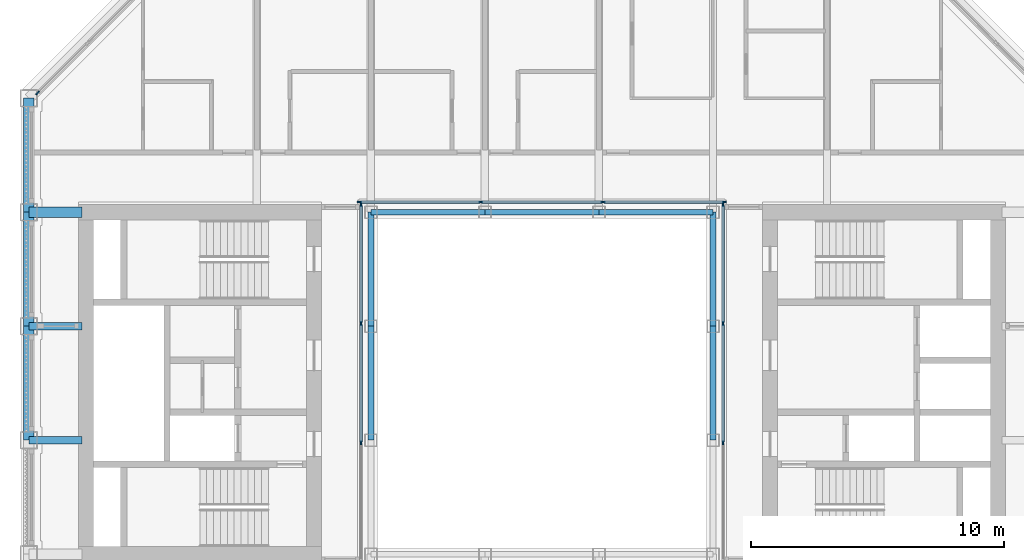
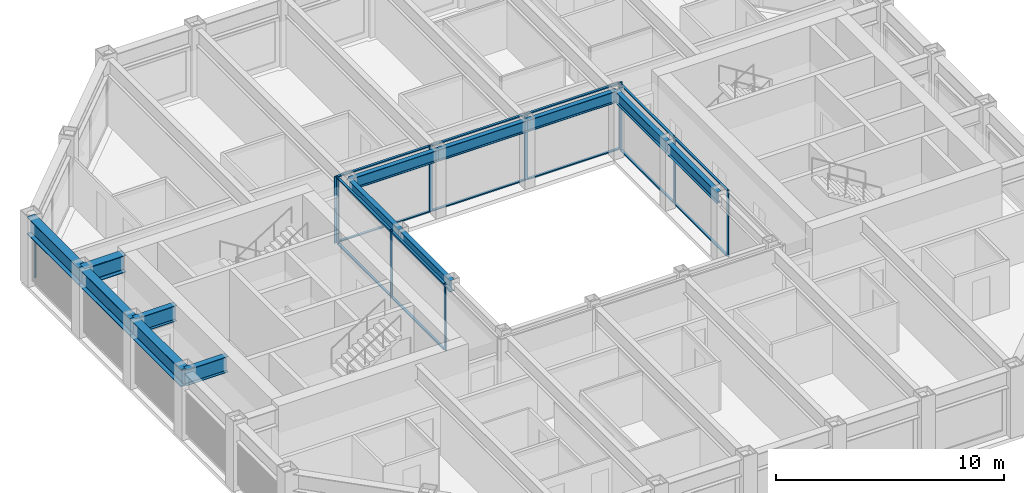
# One storey, part 4 of 18: 25 members, 13 beams, 4 elements without a shape of their own.
"""IFC4 building model written with IfcOpenShell, lengths in metres."""

import ifcopenshell
import ifcopenshell.guid

model = None  # the IFC model being written
_history = None  # IfcOwnerHistory: only IFC2X3 demands one
_inside = {}  # id of a spatial element -> (the spatial element, [elements in it])
_under = {}  # id of a project, library or spatial element -> (it, [spatial elements below it])
_declared = {}  # id of a project -> (the project, [libraries it declares])
_typed = {}  # id of a type object -> (the type object, [elements of that type])
_made_of = {}  # id of a material, layer set ... -> (it, [elements and type objects made of it])


def new_model(schema):
    """Start an empty IFC model of exactly this schema.

    Asked for "IFC4X3", IfcOpenShell would pick the latest addendum, in which some entities
    have other attributes; the version numbers below select the first issue.
    IFC2X3 requires an IfcOwnerHistory on every rooted entity: one is made here for all.
    """
    global model, _history
    if schema == "IFC4X3":
        model = ifcopenshell.file(schema_version=(4, 3, 0, 0))
    else:
        model = ifcopenshell.file(schema=schema)
    _inside.clear()
    _under.clear()
    _declared.clear()
    _typed.clear()
    _made_of.clear()
    _history = None
    if model.schema == "IFC2X3":
        org = make("IfcOrganization", Name="unknown")
        user = make(
            "IfcPersonAndOrganization",
            ThePerson=make("IfcPerson", FamilyName="unknown"),
            TheOrganization=org,
        )
        app = make(
            "IfcApplication",
            ApplicationDeveloper=org,
            Version="unknown",
            ApplicationFullName="unknown",
            ApplicationIdentifier="unknown",
        )
        _history = make(
            "IfcOwnerHistory",
            OwningUser=user,
            OwningApplication=app,
            ChangeAction="ADDED",
            CreationDate=0,
        )
    return model


def make(cls, **values):
    """One entity of the class cls with the attributes given. An attribute that is None is left unset."""
    return model.create_entity(
        cls, **{name: value for name, value in values.items() if value is not None}
    )


def rooted(cls, **values):
    """An entity with a GlobalId (a new one), such as an element, a storey or a relation."""
    return make(cls, GlobalId=ifcopenshell.guid.new(), OwnerHistory=_history, **values)


def si_unit(unit_type, name, prefix=None):
    """IfcSIUnit, for example si_unit("LENGTHUNIT", "METRE", prefix="MILLI")."""
    return make("IfcSIUnit", UnitType=unit_type, Prefix=prefix, Name=name)


def assignment(units):
    """IfcUnitAssignment: the units of a project."""
    return None if units is None else make("IfcUnitAssignment", Units=units)


def point(xyz):
    """IfcCartesianPoint."""
    return None if xyz is None else make("IfcCartesianPoint", Coordinates=xyz)


def direction(xyz):
    """IfcDirection."""
    return None if xyz is None else make("IfcDirection", DirectionRatios=xyz)


def frame(location, z_axis=None, x_axis=None):
    """IfcAxis2Placement3D, a coordinate frame: its origin and axes. An axis left out is left unset."""
    return make(
        "IfcAxis2Placement3D",
        Location=point(location),
        Axis=direction(z_axis),
        RefDirection=direction(x_axis),
    )


def frame_2d(location, x_axis=None):
    """IfcAxis2Placement2D, a coordinate frame in the plane: its origin and x axis."""
    return make(
        "IfcAxis2Placement2D", Location=point(location), RefDirection=direction(x_axis)
    )


def origin():
    """The frame at (0, 0, 0) with its axes left unset."""
    return frame((0.0, 0.0, 0.0))


def origin_2d():
    """The frame at (0, 0) in the plane with its x axis left unset."""
    return frame_2d((0.0, 0.0))


def place(relative_to, where):
    """IfcLocalPlacement: puts the frame where relative to a parent placement (None: the world)."""
    return make(
        "IfcLocalPlacement", PlacementRelTo=relative_to, RelativePlacement=where
    )


def context(
    kind, dimensions, precision=None, world=None, true_north=None, identifier=None
):
    """IfcGeometricRepresentationContext, for example the 3D "Model" context."""
    return make(
        "IfcGeometricRepresentationContext",
        ContextIdentifier=identifier,
        ContextType=kind,
        CoordinateSpaceDimension=dimensions,
        Precision=precision,
        WorldCoordinateSystem=world,
        TrueNorth=true_north,
    )


def subcontext(parent, identifier, kind, view, scale=None):
    """IfcGeometricRepresentationSubContext, for example "Body" below "Model"."""
    return make(
        "IfcGeometricRepresentationSubContext",
        ContextIdentifier=identifier,
        ContextType=kind,
        ParentContext=parent,
        TargetScale=scale,
        TargetView=view,
    )


def project(units=None, contexts=None):
    """IfcProject with its units and contexts."""
    return rooted(
        "IfcProject",
        Name="project",
        RepresentationContexts=contexts,
        UnitsInContext=assignment(units),
    )


def spatial(cls, under=None, at=None, **own):
    """A site, building, storey or space (cls), placed at a placement, below another one or the project."""
    s = rooted(cls, ObjectPlacement=at, **own)
    if under is not None:
        _under.setdefault(under.id(), (under, []))[1].append(s)
    return s


def profile(cls, at=None, kind="AREA", **sizes):
    """A parametric profile (cls). Its sizes go by their IFC names, for example OverallWidth=200.0."""
    return make(cls, ProfileType=kind, Position=at, **sizes)


def rectangle(**sizes):
    """IfcRectangleProfileDef."""
    return profile("IfcRectangleProfileDef", **sizes)


def i_section(**sizes):
    """IfcIShapeProfileDef."""
    return profile("IfcIShapeProfileDef", **sizes)


def extrude(swept, where, along, depth):
    """IfcExtrudedAreaSolid: the profile swept, set in the frame where, extruded along a direction by depth."""
    return make(
        "IfcExtrudedAreaSolid",
        SweptArea=swept,
        Position=where,
        ExtrudedDirection=direction(along),
        Depth=depth,
    )


def shape(context_of_items, identifier, shape_type, items):
    """IfcShapeRepresentation: the items that make up one representation, for example the "Body"."""
    return make(
        "IfcShapeRepresentation",
        ContextOfItems=context_of_items,
        RepresentationIdentifier=identifier,
        RepresentationType=shape_type,
        Items=items,
    )


def material(Name=None, Category=None):
    """IfcMaterial."""
    return make("IfcMaterial", Name=Name, Category=Category)


def material_profile(
    of_material, cross_section, Name=None, Category=None, Priority=None
):
    """IfcMaterialProfile: a cross section and its material."""
    return make(
        "IfcMaterialProfile",
        Name=Name,
        Material=of_material,
        Profile=cross_section,
        Priority=Priority,
        Category=Category,
    )


def profile_set(profiles, Name=None, composite=None):
    """IfcMaterialProfileSet."""
    return make(
        "IfcMaterialProfileSet",
        Name=Name,
        MaterialProfiles=profiles,
        CompositeProfile=composite,
    )


def made_of(thing, what):
    """Note that an element or type object is made of a material, layer set ...; save() writes the relation."""
    if what is not None:
        _made_of.setdefault(what.id(), (what, []))[1].append(thing)
    return thing


def type_object(cls, material=None, **own):
    """A type object (cls), such as IfcWallType, which elements share."""
    return made_of(rooted(cls, **own), material)


def element(
    cls,
    number,
    at=None,
    inside=None,
    cuts=None,
    type_object=None,
    material=None,
    context=None,
    identifier="Body",
    shape_type=None,
    held_by="IfcProductDefinitionShape",
    body=None,
    shapes=None,
    **own,
):
    """One element of the class cls, such as IfcWall. Its Tag is "e" and its number.

    at: its placement. inside: the storey or other place that contains it. cuts: it is an
    opening in that element (IfcRelVoidsElement). A single representation is given by context,
    identifier, shape_type and body (its items); several are given by shapes. held_by: the class
    of the entity that holds the representations. save() writes the other relations.
    """
    e = rooted(cls, Tag="e%d" % number, ObjectPlacement=at, **own)
    if body is not None:
        shapes = [shape(context, identifier, shape_type, body)]
    if shapes is not None:
        e.Representation = make(held_by, Representations=shapes)
    if inside is not None:
        _inside.setdefault(inside.id(), (inside, []))[1].append(e)
    if cuts is not None:
        rooted(
            "IfcRelVoidsElement", RelatingBuildingElement=cuts, RelatedOpeningElement=e
        )
    if type_object is not None:
        _typed.setdefault(type_object.id(), (type_object, []))[1].append(e)
    return made_of(e, material)


def aggregate(whole, parts):
    """IfcRelAggregates: a whole, such as a stair, and the parts it consists of."""
    return rooted("IfcRelAggregates", RelatingObject=whole, RelatedObjects=parts)


def save(model, path):
    """Write the relations noted so far, then the file.

    IfcRelAggregates (storeys below a building ...), IfcRelContainedInSpatialStructure (elements
    in a storey), IfcRelDefinesByType, IfcRelAssociatesMaterial and IfcRelDeclares: one each for
    every whole, place, type object, material and project.
    """
    for whole, parts in _under.values():
        aggregate(whole, parts)
    for where, things in _inside.values():
        rooted(
            "IfcRelContainedInSpatialStructure",
            RelatedElements=things,
            RelatingStructure=where,
        )
    for kind, things in _typed.values():
        rooted("IfcRelDefinesByType", RelatedObjects=things, RelatingType=kind)
    for what, things in _made_of.values():
        rooted("IfcRelAssociatesMaterial", RelatedObjects=things, RelatingMaterial=what)
    for by, libraries in _declared.values():
        rooted("IfcRelDeclares", RelatingContext=by, RelatedDefinitions=libraries)
    model.write(path)


model = new_model("IFC4")

# Units and contexts
model_context = context("Model", 3, precision=1e-05, world=origin(), true_north=direction((0.0, 1.0)))
body_context = subcontext(model_context, "Body", "Model", "MODEL_VIEW")
ifc_project = project(units=[si_unit("LENGTHUNIT", "METRE"), si_unit("AREAUNIT", "SQUARE_METRE"), si_unit("VOLUMEUNIT", "CUBIC_METRE"), si_unit("PLANEANGLEUNIT", "RADIAN"), si_unit("MASSUNIT", "GRAM", prefix="KILO")], contexts=[model_context])

# Site, building, storey
site_placement = place(None, origin())
site = spatial("IfcSite", under=ifc_project, at=site_placement, CompositionType="ELEMENT")
building_placement = place(site_placement, origin())
building = spatial("IfcBuilding", under=site, at=building_placement, Name="Msasa Ring Tower", CompositionType="ELEMENT")
storey_placement = place(building_placement, frame((0.0, 0.0, 227.050048828125)))
storey = spatial("IfcBuildingStorey", under=building, at=storey_placement, Name="L59", CompositionType="ELEMENT", Elevation=227.050048828125)

# Curtain wall, member
ifc_material_1 = material(Name="Aluminium curtain wall with clear glass", Category="aluminium")
curtain_wall_type_1 = type_object("IfcCurtainWallType", Name="CW-C CHAMFER CORNER CURTAIN WALL", PredefinedType="NOTDEFINED", material=ifc_material_1)
curtain_wall_1_placement = place(storey_placement, origin())
curtain_wall_1 = element("IfcCurtainWall", 1, at=curtain_wall_1_placement, inside=storey, type_object=curtain_wall_type_1, Name="Chamfer corner curtain wall NW L59", PredefinedType="NOTDEFINED")
ifc_material_2 = material(Name="Aluminium mullion", Category="aluminium")
ifc_material_profile_1 = material_profile(ifc_material_2, rectangle(XDim=0.06494140625, YDim=0.179931640625, at=origin_2d()), Name="AL 65x180")
ifc_profile_set_1 = profile_set([ifc_material_profile_1], Name="Aluminium mullion")
member_type_1 = type_object("IfcMemberType", Name="CW-C MULLION 65x180", PredefinedType="MULLION", material=ifc_profile_set_1)
member_1_placement = place(storey_placement, frame((-19.9052734375, 11.453369140625, 0.0), z_axis=(0.0, 0.0, 1.0), x_axis=(0.707106781187, -0.707106781187, 0.0)))
member_1 = element("IfcMember", 2, at=member_1_placement, type_object=member_type_1, Name="CW-C mullion 3", PredefinedType="MULLION", context=body_context, shape_type="SweptSolid", body=[
    extrude(rectangle(XDim=0.06494140625, YDim=0.179931640625, at=origin_2d()), origin(), (0.0, 0.0, 1.0), 2.62890625),
])
aggregate(curtain_wall_1, [member_1])

# Curtain wall, members
ifc_material_3 = material(Name="Aluminium curtain wall with clear glass", Category="aluminium")
curtain_wall_type_2 = type_object("IfcCurtainWallType", Name="CW-W LIGHT WELL CURTAIN WALL", PredefinedType="NOTDEFINED", material=ifc_material_3)
curtain_wall_2_placement = place(storey_placement, origin())
curtain_wall_2 = element("IfcCurtainWall", 3, at=curtain_wall_2_placement, inside=storey, type_object=curtain_wall_type_2, Name="Light well curtain wall N L59", PredefinedType="NOTDEFINED")
ifc_material_4 = material(Name="Aluminium mullion", Category="aluminium")
ifc_material_profile_2 = material_profile(ifc_material_4, rectangle(XDim=0.06005859375, YDim=0.159912109375, at=origin_2d()), Name="AL 60x160")
ifc_profile_set_2 = profile_set([ifc_material_profile_2], Name="Aluminium mullion")
member_type_2 = type_object("IfcMemberType", Name="CW-W MULLION 60x160", PredefinedType="MULLION", material=ifc_profile_set_2)
member_2_placement = place(storey_placement, frame((-7.199951171875, 7.14990234375, 0.0), z_axis=(0.0, 0.0, 1.0), x_axis=(0.0, 1.0, 0.0)))
member_2 = element("IfcMember", 4, at=member_2_placement, type_object=member_type_2, Name="CW-W mullion 1", PredefinedType="MULLION", context=body_context, shape_type="SweptSolid", body=[
    extrude(rectangle(XDim=0.06005859375, YDim=0.159912109375, at=origin_2d()), origin(), (0.0, 0.0, 1.0), 3.550048828125),
])
member_3_placement = place(storey_placement, frame((-2.409912109375, 7.14990234375, 0.0), z_axis=(0.0, 0.0, 1.0), x_axis=(0.0, 1.0, 0.0)))
member_3 = element("IfcMember", 5, at=member_3_placement, type_object=member_type_2, Name="CW-W mullion 2", PredefinedType="MULLION", context=body_context, shape_type="SweptSolid", body=[
    extrude(rectangle(XDim=0.06005859375, YDim=0.159912109375, at=origin_2d()), origin(), (0.0, 0.0, 1.0), 3.550048828125),
])
member_4_placement = place(storey_placement, frame((2.409912109375, 7.14990234375, 0.0), z_axis=(0.0, 0.0, 1.0), x_axis=(0.0, 1.0, 0.0)))
member_4 = element("IfcMember", 6, at=member_4_placement, type_object=member_type_2, Name="CW-W mullion 3", PredefinedType="MULLION", context=body_context, shape_type="SweptSolid", body=[
    extrude(rectangle(XDim=0.06005859375, YDim=0.159912109375, at=origin_2d()), origin(), (0.0, 0.0, 1.0), 3.550048828125),
])
member_5_placement = place(storey_placement, frame((7.199951171875, 7.14990234375, 0.0), z_axis=(0.0, 0.0, 1.0), x_axis=(0.0, 1.0, 0.0)))
member_5 = element("IfcMember", 7, at=member_5_placement, type_object=member_type_2, Name="CW-W mullion 4", PredefinedType="MULLION", context=body_context, shape_type="SweptSolid", body=[
    extrude(rectangle(XDim=0.06005859375, YDim=0.159912109375, at=origin_2d()), origin(), (0.0, 0.0, 1.0), 3.550048828125),
])

curtain_wall_3_placement = place(storey_placement, origin())
curtain_wall_3 = element("IfcCurtainWall", 8, at=curtain_wall_3_placement, inside=storey, type_object=curtain_wall_type_2, Name="Light well curtain wall E L59", PredefinedType="NOTDEFINED")
member_6_placement = place(storey_placement, frame((7.14990234375, -2.356689453125, 0.0), z_axis=(0.0, 0.0, 1.0), x_axis=(-1.0, 0.0, 0.0)))
member_6 = element("IfcMember", 9, at=member_6_placement, type_object=member_type_2, Name="CW-W mullion 2", PredefinedType="MULLION", context=body_context, shape_type="SweptSolid", body=[
    extrude(rectangle(XDim=0.06005859375, YDim=0.159912109375, at=origin_2d()), origin(), (0.0, 0.0, 1.0), 3.550048828125),
])
member_7_placement = place(storey_placement, frame((7.14990234375, 2.356689453125, 0.0), z_axis=(0.0, 0.0, 1.0), x_axis=(-1.0, 0.0, 0.0)))
member_7 = element("IfcMember", 10, at=member_7_placement, type_object=member_type_2, Name="CW-W mullion 3", PredefinedType="MULLION", context=body_context, shape_type="SweptSolid", body=[
    extrude(rectangle(XDim=0.06005859375, YDim=0.159912109375, at=origin_2d()), origin(), (0.0, 0.0, 1.0), 3.550048828125),
])
member_8_placement = place(storey_placement, frame((7.14990234375, 7.0400390625, 0.0), z_axis=(0.0, 0.0, 1.0), x_axis=(-1.0, 0.0, 0.0)))
member_8 = element("IfcMember", 11, at=member_8_placement, type_object=member_type_2, Name="CW-W mullion 4", PredefinedType="MULLION", context=body_context, shape_type="SweptSolid", body=[
    extrude(rectangle(XDim=0.06005859375, YDim=0.159912109375, at=origin_2d()), origin(), (0.0, 0.0, 1.0), 3.550048828125),
])

curtain_wall_4_placement = place(storey_placement, origin())
curtain_wall_4 = element("IfcCurtainWall", 12, at=curtain_wall_4_placement, inside=storey, type_object=curtain_wall_type_2, Name="Light well curtain wall W L59", PredefinedType="NOTDEFINED")
member_9_placement = place(storey_placement, frame((-7.14990234375, -2.356689453125, 0.0), z_axis=(0.0, 0.0, 1.0), x_axis=(-1.0, 0.0, 0.0)))
member_9 = element("IfcMember", 13, at=member_9_placement, type_object=member_type_2, Name="CW-W mullion 2", PredefinedType="MULLION", context=body_context, shape_type="SweptSolid", body=[
    extrude(rectangle(XDim=0.06005859375, YDim=0.159912109375, at=origin_2d()), origin(), (0.0, 0.0, 1.0), 3.550048828125),
])
member_10_placement = place(storey_placement, frame((-7.14990234375, 2.356689453125, 0.0), z_axis=(0.0, 0.0, 1.0), x_axis=(-1.0, 0.0, 0.0)))
member_10 = element("IfcMember", 14, at=member_10_placement, type_object=member_type_2, Name="CW-W mullion 3", PredefinedType="MULLION", context=body_context, shape_type="SweptSolid", body=[
    extrude(rectangle(XDim=0.06005859375, YDim=0.159912109375, at=origin_2d()), origin(), (0.0, 0.0, 1.0), 3.550048828125),
])
member_11_placement = place(storey_placement, frame((-7.14990234375, 7.0400390625, 0.0), z_axis=(0.0, 0.0, 1.0), x_axis=(-1.0, 0.0, 0.0)))
member_11 = element("IfcMember", 15, at=member_11_placement, type_object=member_type_2, Name="CW-W mullion 4", PredefinedType="MULLION", context=body_context, shape_type="SweptSolid", body=[
    extrude(rectangle(XDim=0.06005859375, YDim=0.159912109375, at=origin_2d()), origin(), (0.0, 0.0, 1.0), 3.550048828125),
])

# Member
ifc_material_5 = material(Name="Aluminium transom", Category="aluminium")
ifc_material_profile_3 = material_profile(ifc_material_5, rectangle(XDim=0.1201171875, YDim=0.06005859375, at=origin_2d()), Name="AL 60x120")
ifc_profile_set_3 = profile_set([ifc_material_profile_3], Name="Aluminium transom")
member_type_3 = type_object("IfcMemberType", Name="CW-W TRANSOM 60x120", PredefinedType="USERDEFINED", material=ifc_profile_set_3)
member_12_placement = place(storey_placement, frame((-7.169921875, 7.14990234375, 0.030029296875), z_axis=(1.0, 0.0, 0.0), x_axis=(0.0, 1.0, 0.0)))
member_12 = element("IfcMember", 16, at=member_12_placement, type_object=member_type_3, Name="CW-W transom 1.1", ObjectType="TRANSOM", PredefinedType="USERDEFINED", context=body_context, shape_type="SweptSolid", body=[
    extrude(rectangle(XDim=0.1201171875, YDim=0.06005859375, at=origin_2d()), origin(), (0.0, 0.0, 1.0), 4.72998046875),
])

member_13_placement = place(storey_placement, frame((-7.169921875, 7.14990234375, 3.52001953125), z_axis=(1.0, 0.0, 0.0), x_axis=(0.0, 1.0, 0.0)))
member_13 = element("IfcMember", 17, at=member_13_placement, type_object=member_type_3, Name="CW-W transom 1.2", ObjectType="TRANSOM", PredefinedType="USERDEFINED", context=body_context, shape_type="SweptSolid", body=[
    extrude(rectangle(XDim=0.1201171875, YDim=0.06005859375, at=origin_2d()), origin(), (0.0, 0.0, 1.0), 4.72998046875),
])

member_14_placement = place(storey_placement, frame((-2.3798828125, 7.14990234375, 0.030029296875), z_axis=(1.0, 0.0, 0.0), x_axis=(0.0, 1.0, 0.0)))
member_14 = element("IfcMember", 18, at=member_14_placement, type_object=member_type_3, Name="CW-W transom 2.1", ObjectType="TRANSOM", PredefinedType="USERDEFINED", context=body_context, shape_type="SweptSolid", body=[
    extrude(rectangle(XDim=0.1201171875, YDim=0.06005859375, at=origin_2d()), origin(), (0.0, 0.0, 1.0), 4.759765625),
])

member_15_placement = place(storey_placement, frame((-2.3798828125, 7.14990234375, 3.52001953125), z_axis=(1.0, 0.0, 0.0), x_axis=(0.0, 1.0, 0.0)))
member_15 = element("IfcMember", 19, at=member_15_placement, type_object=member_type_3, Name="CW-W transom 2.2", ObjectType="TRANSOM", PredefinedType="USERDEFINED", context=body_context, shape_type="SweptSolid", body=[
    extrude(rectangle(XDim=0.1201171875, YDim=0.06005859375, at=origin_2d()), origin(), (0.0, 0.0, 1.0), 4.759765625),
])

member_16_placement = place(storey_placement, frame((2.43994140625, 7.14990234375, 0.030029296875), z_axis=(1.0, 0.0, 0.0), x_axis=(0.0, 1.0, 0.0)))
member_16 = element("IfcMember", 20, at=member_16_placement, type_object=member_type_3, Name="CW-W transom 3.1", ObjectType="TRANSOM", PredefinedType="USERDEFINED", context=body_context, shape_type="SweptSolid", body=[
    extrude(rectangle(XDim=0.1201171875, YDim=0.06005859375, at=origin_2d()), origin(), (0.0, 0.0, 1.0), 4.72998046875),
])

member_17_placement = place(storey_placement, frame((2.43994140625, 7.14990234375, 3.52001953125), z_axis=(1.0, 0.0, 0.0), x_axis=(0.0, 1.0, 0.0)))
member_17 = element("IfcMember", 21, at=member_17_placement, type_object=member_type_3, Name="CW-W transom 3.2", ObjectType="TRANSOM", PredefinedType="USERDEFINED", context=body_context, shape_type="SweptSolid", body=[
    extrude(rectangle(XDim=0.1201171875, YDim=0.06005859375, at=origin_2d()), origin(), (0.0, 0.0, 1.0), 4.72998046875),
])

aggregate(curtain_wall_2, [member_2, member_3, member_4, member_5, member_12, member_13, member_14, member_15, member_16, member_17])

member_18_placement = place(storey_placement, frame((7.14990234375, -2.32666015625, 0.030029296875), z_axis=(0.0, 1.0, 0.0), x_axis=(-1.0, 0.0, 0.0)))
member_18 = element("IfcMember", 22, at=member_18_placement, type_object=member_type_3, Name="CW-W transom 2.1", ObjectType="TRANSOM", PredefinedType="USERDEFINED", context=body_context, shape_type="SweptSolid", body=[
    extrude(rectangle(XDim=0.1201171875, YDim=0.06005859375, at=origin_2d()), origin(), (0.0, 0.0, 1.0), 4.6533203125),
])

member_19_placement = place(storey_placement, frame((7.14990234375, -2.32666015625, 3.52001953125), z_axis=(0.0, 1.0, 0.0), x_axis=(-1.0, 0.0, 0.0)))
member_19 = element("IfcMember", 23, at=member_19_placement, type_object=member_type_3, Name="CW-W transom 2.2", ObjectType="TRANSOM", PredefinedType="USERDEFINED", context=body_context, shape_type="SweptSolid", body=[
    extrude(rectangle(XDim=0.1201171875, YDim=0.06005859375, at=origin_2d()), origin(), (0.0, 0.0, 1.0), 4.6533203125),
])

member_20_placement = place(storey_placement, frame((7.14990234375, 2.38671875, 0.030029296875), z_axis=(0.0, 1.0, 0.0), x_axis=(-1.0, 0.0, 0.0)))
member_20 = element("IfcMember", 24, at=member_20_placement, type_object=member_type_3, Name="CW-W transom 3.1", ObjectType="TRANSOM", PredefinedType="USERDEFINED", context=body_context, shape_type="SweptSolid", body=[
    extrude(rectangle(XDim=0.1201171875, YDim=0.06005859375, at=origin_2d()), origin(), (0.0, 0.0, 1.0), 4.623291015625),
])

member_21_placement = place(storey_placement, frame((7.14990234375, 2.38671875, 3.52001953125), z_axis=(0.0, 1.0, 0.0), x_axis=(-1.0, 0.0, 0.0)))
member_21 = element("IfcMember", 25, at=member_21_placement, type_object=member_type_3, Name="CW-W transom 3.2", ObjectType="TRANSOM", PredefinedType="USERDEFINED", context=body_context, shape_type="SweptSolid", body=[
    extrude(rectangle(XDim=0.1201171875, YDim=0.06005859375, at=origin_2d()), origin(), (0.0, 0.0, 1.0), 4.623291015625),
])

aggregate(curtain_wall_3, [member_6, member_7, member_8, member_18, member_19, member_20, member_21])

member_22_placement = place(storey_placement, frame((-7.14990234375, -2.32666015625, 0.030029296875), z_axis=(0.0, 1.0, 0.0), x_axis=(-1.0, 0.0, 0.0)))
member_22 = element("IfcMember", 26, at=member_22_placement, type_object=member_type_3, Name="CW-W transom 2.1", ObjectType="TRANSOM", PredefinedType="USERDEFINED", context=body_context, shape_type="SweptSolid", body=[
    extrude(rectangle(XDim=0.1201171875, YDim=0.06005859375, at=origin_2d()), origin(), (0.0, 0.0, 1.0), 4.6533203125),
])

member_23_placement = place(storey_placement, frame((-7.14990234375, -2.32666015625, 3.52001953125), z_axis=(0.0, 1.0, 0.0), x_axis=(-1.0, 0.0, 0.0)))
member_23 = element("IfcMember", 27, at=member_23_placement, type_object=member_type_3, Name="CW-W transom 2.2", ObjectType="TRANSOM", PredefinedType="USERDEFINED", context=body_context, shape_type="SweptSolid", body=[
    extrude(rectangle(XDim=0.1201171875, YDim=0.06005859375, at=origin_2d()), origin(), (0.0, 0.0, 1.0), 4.6533203125),
])

member_24_placement = place(storey_placement, frame((-7.14990234375, 2.38671875, 0.030029296875), z_axis=(0.0, 1.0, 0.0), x_axis=(-1.0, 0.0, 0.0)))
member_24 = element("IfcMember", 28, at=member_24_placement, type_object=member_type_3, Name="CW-W transom 3.1", ObjectType="TRANSOM", PredefinedType="USERDEFINED", context=body_context, shape_type="SweptSolid", body=[
    extrude(rectangle(XDim=0.1201171875, YDim=0.06005859375, at=origin_2d()), origin(), (0.0, 0.0, 1.0), 4.623291015625),
])

member_25_placement = place(storey_placement, frame((-7.14990234375, 2.38671875, 3.52001953125), z_axis=(0.0, 1.0, 0.0), x_axis=(-1.0, 0.0, 0.0)))
member_25 = element("IfcMember", 29, at=member_25_placement, type_object=member_type_3, Name="CW-W transom 3.2", ObjectType="TRANSOM", PredefinedType="USERDEFINED", context=body_context, shape_type="SweptSolid", body=[
    extrude(rectangle(XDim=0.1201171875, YDim=0.06005859375, at=origin_2d()), origin(), (0.0, 0.0, 1.0), 4.623291015625),
])

aggregate(curtain_wall_4, [member_9, member_10, member_11, member_22, member_23, member_24, member_25])

# Beams
ifc_material_6 = material(Name="Steel S355", Category="steel")
ifc_material_profile_4 = material_profile(ifc_material_6, i_section(OverallWidth=0.293701171875, OverallDepth=0.850830078125, WebThickness=0.01611328125, FlangeThickness=0.02685546875, FilletRadius=0.017822265625, at=origin_2d()), Name="UB 838x292x226")
ifc_profile_set_4 = profile_set([ifc_material_profile_4], Name="Steel S355")
beam_type_1 = type_object("IfcBeamType", Name="FB5 UB 838x292x226", PredefinedType="BEAM", material=ifc_profile_set_4)
for number, where, z_axis, x_axis, name in (
    (30, (-20.25, -2.25, 3.12451171875), (1.0, 0.0, 0.0), (0.0, 1.0, 0.0), "Floor beam W -2.25 under L60"),
    (31, (-20.25, 2.25, 3.12451171875), (1.0, 0.0, 0.0), (0.0, 1.0, 0.0), "Floor beam W +2.25 under L60"),
):
    element("IfcBeam", number, at=place(storey_placement, frame(where, z_axis=z_axis, x_axis=x_axis)), inside=storey, type_object=beam_type_1, Name=name, PredefinedType="BEAM", context=body_context, shape_type="SweptSolid", body=[
        extrude(i_section(OverallWidth=0.293701171875, OverallDepth=0.850830078125, WebThickness=0.01611328125, FlangeThickness=0.02685546875, FilletRadius=0.017822265625, at=origin_2d()), origin(), (0.0, 0.0, 1.0), 2.10009765625),
    ])
ifc_material_7 = material(Name="Steel S355", Category="steel")
ifc_material_profile_5 = material_profile(ifc_material_7, i_section(OverallWidth=0.42041015625, OverallDepth=0.9208984375, WebThickness=0.021484375, FlangeThickness=0.03662109375, FilletRadius=0.024169921875, at=origin_2d()), Name="UB 914x419x388")
ifc_profile_set_5 = profile_set([ifc_material_profile_5], Name="Steel S355")
beam_type_2 = type_object("IfcBeamType", Name="GB1 UB 914x419x388", PredefinedType="BEAM", material=ifc_profile_set_5)
beam_placement = place(storey_placement, frame((-18.14990234375, 6.75, 3.08935546875), z_axis=(-1.0, 0.0, 0.0), x_axis=(0.0, -1.0, 0.0)))
element("IfcBeam", 32, at=beam_placement, inside=storey, type_object=beam_type_2, Name="Girder W +6.75 under L60", PredefinedType="BEAM", context=body_context, shape_type="SweptSolid", body=[
    extrude(i_section(OverallWidth=0.42041015625, OverallDepth=0.9208984375, WebThickness=0.021484375, FlangeThickness=0.03662109375, FilletRadius=0.024169921875, at=origin_2d()), origin(), (0.0, 0.0, 1.0), 2.10009765625),
])
ifc_material_8 = material(Name="Steel S355", Category="steel")
ifc_material_profile_6 = material_profile(ifc_material_8, i_section(OverallWidth=0.230224609375, OverallDepth=0.6171875, WebThickness=0.01318359375, FlangeThickness=0.022216796875, FilletRadius=0.0126953125, at=origin_2d()), Name="UB 610x229x140")
ifc_profile_set_6 = profile_set([ifc_material_profile_6], Name="Steel S355")
beam_type_3 = type_object("IfcBeamType", Name="RB1 UB 610x229x140", PredefinedType="BEAM", material=ifc_profile_set_6)
for number, where, z_axis, x_axis, name in (
    (33, (6.75, -2.25, 3.241455078125), (0.0, 1.0, 0.0), (-1.0, 0.0, 0.0), "Inner ring beam IR+6.75-2.25 under L60"),
    (34, (6.75, 2.25, 3.241455078125), (0.0, 1.0, 0.0), (-1.0, 0.0, 0.0), "Inner ring beam IR+6.75+2.25 under L60"),
    (35, (6.75, 6.75, 3.241455078125), (-1.0, 0.0, 0.0), (0.0, -1.0, 0.0), "Inner ring beam IR+6.75+6.75 under L60"),
    (36, (2.25, 6.75, 3.241455078125), (-1.0, 0.0, 0.0), (0.0, -1.0, 0.0), "Inner ring beam IR+2.25+6.75 under L60"),
    (37, (-2.25, 6.75, 3.241455078125), (-1.0, 0.0, 0.0), (0.0, -1.0, 0.0), "Inner ring beam IR-2.25+6.75 under L60"),
    (38, (-6.75, 6.75, 3.241455078125), (0.0, -1.0, 0.0), (1.0, 0.0, 0.0), "Inner ring beam IR-6.75+6.75 under L60"),
    (39, (-6.75, 2.25, 3.241455078125), (0.0, -1.0, 0.0), (1.0, 0.0, 0.0), "Inner ring beam IR-6.75+2.25 under L60"),
):
    element("IfcBeam", number, at=place(storey_placement, frame(where, z_axis=z_axis, x_axis=x_axis)), inside=storey, type_object=beam_type_3, Name=name, PredefinedType="BEAM", context=body_context, shape_type="SweptSolid", body=[
        extrude(i_section(OverallWidth=0.230224609375, OverallDepth=0.6171875, WebThickness=0.01318359375, FlangeThickness=0.022216796875, FilletRadius=0.0126953125, at=origin_2d()), origin(), (0.0, 0.0, 1.0), 4.5),
    ])
ifc_material_9 = material(Name="Steel S355", Category="steel")
ifc_material_profile_7 = material_profile(ifc_material_9, i_section(OverallWidth=0.42041015625, OverallDepth=0.9208984375, WebThickness=0.021484375, FlangeThickness=0.03662109375, FilletRadius=0.024169921875, at=origin_2d()), Name="UB 914x419x388")
ifc_profile_set_7 = profile_set([ifc_material_profile_7], Name="Steel S355")
beam_type_4 = type_object("IfcBeamType", Name="SB1 UB 914x419x388", PredefinedType="SPANDREL", material=ifc_profile_set_7)
for number, where, z_axis, x_axis, name in (
    (40, (-20.25, 11.25, 3.08935546875), (0.0, -1.0, 0.0), (1.0, 0.0, 0.0), "Spandrel W+11.25 to W+6.75 under L60"),
    (41, (-20.25, 6.75, 3.08935546875), (0.0, -1.0, 0.0), (1.0, 0.0, 0.0), "Spandrel W+6.75 to W+2.25 under L60"),
    (42, (-20.25, 2.25, 3.08935546875), (0.0, -1.0, 0.0), (1.0, 0.0, 0.0), "Spandrel W+2.25 to W-2.25 under L60"),
):
    element("IfcBeam", number, at=place(storey_placement, frame(where, z_axis=z_axis, x_axis=x_axis)), inside=storey, type_object=beam_type_4, Name=name, PredefinedType="SPANDREL", context=body_context, shape_type="SweptSolid", body=[
        extrude(i_section(OverallWidth=0.42041015625, OverallDepth=0.9208984375, WebThickness=0.021484375, FlangeThickness=0.03662109375, FilletRadius=0.024169921875, at=origin_2d()), origin(), (0.0, 0.0, 1.0), 4.5),
    ])

save(model, "model.ifc")
